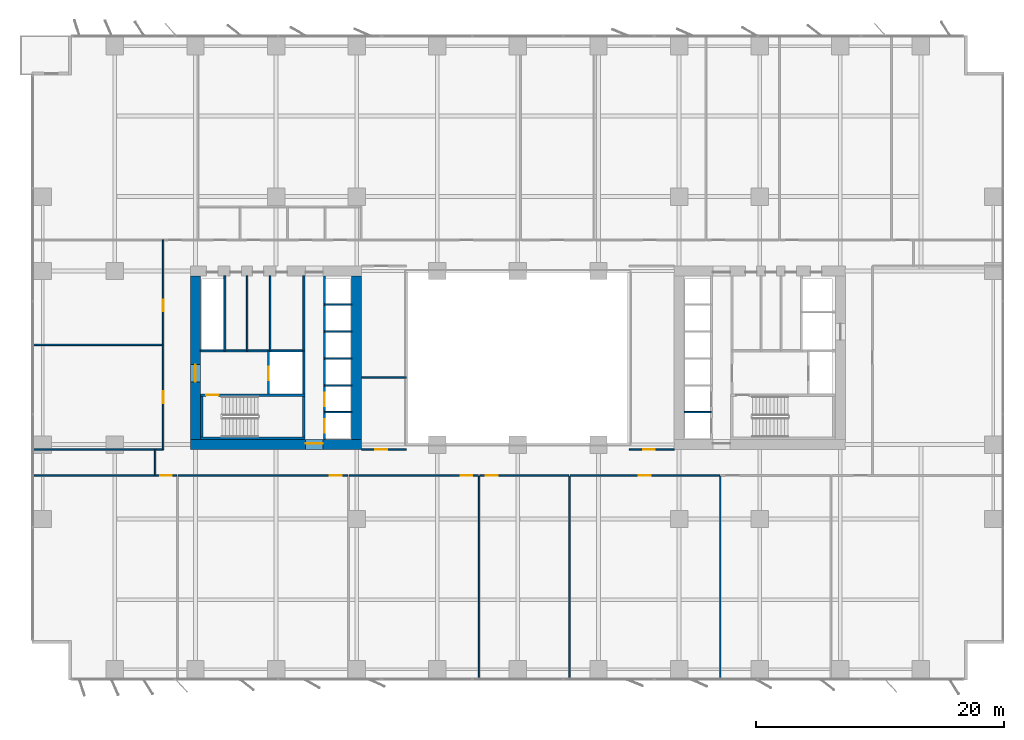
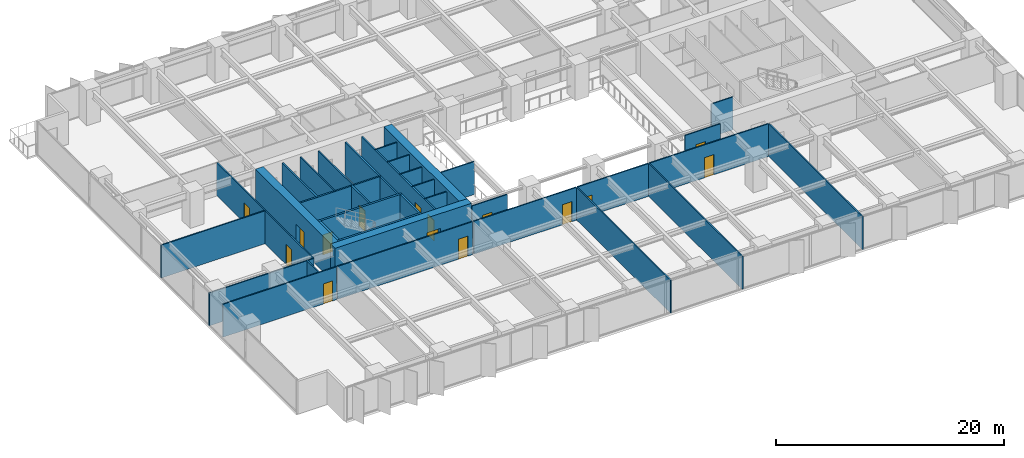
# One storey, part 13 of 20: 37 walls, 15 doors, 15 openings.
"""IFC4 building model written with IfcOpenShell, lengths in metres."""

from ifc_helpers import new_model, si_unit, direction, frame, frame_2d, origin, place, context, subcontext, project, spatial, rectangle, extrude, material, layer, layer_set, type_object, element, fill, save


model = new_model("IFC4")

# Units and contexts
model_context = context("Model", 3, precision=1e-05, world=origin(), true_north=direction((0.0, 1.0)))
body_context = subcontext(model_context, "Body", "Model", "MODEL_VIEW")
ifc_project = project(units=[si_unit("LENGTHUNIT", "METRE"), si_unit("AREAUNIT", "SQUARE_METRE"), si_unit("VOLUMEUNIT", "CUBIC_METRE"), si_unit("PLANEANGLEUNIT", "RADIAN"), si_unit("MASSUNIT", "GRAM", prefix="KILO")], contexts=[model_context])

# Site, building, storey
site_placement = place(None, origin())
site = spatial("IfcSite", under=ifc_project, at=site_placement, CompositionType="ELEMENT")
building_placement = place(site_placement, origin())
building = spatial("IfcBuilding", under=site, at=building_placement, Name="Putna Gate Headquarters", CompositionType="ELEMENT")
storey_placement = place(building_placement, frame((0.0, 0.0, 77.199951171875)))
storey = spatial("IfcBuildingStorey", under=building, at=storey_placement, Name="L18", CompositionType="ELEMENT", Elevation=77.199951171875)

# Wall, opening, door
ifc_material_1 = material(Name="Concrete C60/75", Category="concrete")
ifc_layer_1 = layer(ifc_material_1, 0.800048828125)
ifc_layer_set_1 = layer_set([ifc_layer_1], Name="Concrete C60/75")
wall_type_1 = type_object("IfcWallType", Name="WALL-CORE-800", PredefinedType="SHEAR", material=ifc_layer_set_1)
wall_1_placement = place(storey_placement, frame((12.60009765625, 19.0, 0.0), z_axis=(0.0, 0.0, 1.0), x_axis=(1.0, 0.0, 0.0)))
wall_1 = element("IfcWall", 1, at=wall_1_placement, inside=storey, type_object=wall_type_1, Name="L18 WC Split Core Shear Wall S", PredefinedType="SHEAR", context=body_context, shape_type="SweptSolid", body=[
    extrude(rectangle(XDim=13.7998046875, YDim=0.800048828125, at=frame_2d((6.89990234375, 0.0))), origin(), (0.0, 0.0, 1.0), 3.800048828125),
])
opening_1_placement = place(wall_1_placement, frame((9.280029296875, 0.0, 0.0)))
opening_1 = element("IfcOpeningElement", 2, at=opening_1_placement, cuts=wall_1, Name="Opening FDD-140", PredefinedType="OPENING", context=body_context, shape_type="SweptSolid", body=[
    extrude(rectangle(XDim=1.39990234375, YDim=2.199951171875, at=frame_2d((0.699951171875, 1.10009765625))), frame((0.0, 0.409912109375, 0.0), z_axis=(0.0, -1.0, 0.0), x_axis=(1.0, 0.0, 0.0)), (0.0, 0.0, 1.0), 0.820068359375),
])
ifc_material_2 = material(Name="Double steel fire door", Category="steel")
door_type_1 = type_object("IfcDoorType", Name="DOOR-FIRE-DBL-1400", OperationType="DOUBLE_DOOR_SINGLE_SWING", PredefinedType="DOOR", material=ifc_material_2)
door_1_placement = place(opening_1_placement, origin())
door_1 = element("IfcDoor", 3, at=door_1_placement, inside=storey, type_object=door_type_1, Name="L18 West Lift Lobby South Door", OperationType="DOUBLE_DOOR_SINGLE_SWING", OverallHeight=2.199951171875, OverallWidth=1.39990234375, PredefinedType="DOOR", context=body_context, shape_type="SweptSolid", body=[
    extrude(rectangle(XDim=1.39990234375, YDim=2.199951171875, at=frame_2d((0.699951171875, 1.10009765625))), frame((0.0, 0.125, 0.0), z_axis=(0.0, -1.0, 0.0), x_axis=(1.0, 0.0, 0.0)), (0.0, 0.0, 1.0), 0.050048828125),
])
fill(opening_1, door_1)

wall_2_placement = place(storey_placement, frame((13.0, 19.39990234375, 0.0), z_axis=(0.0, 0.0, 1.0), x_axis=(0.0, 1.0, 0.0)))
wall_2 = element("IfcWall", 4, at=wall_2_placement, inside=storey, type_object=wall_type_1, Name="L18 WC Split Core Shear Wall W", PredefinedType="SHEAR", context=body_context, shape_type="SweptSolid", body=[
    extrude(rectangle(XDim=13.2001953125, YDim=0.800048828125, at=frame_2d((6.60009765625, 0.0))), origin(), (0.0, 0.0, 1.0), 3.800048828125),
])
opening_2_placement = place(wall_2_placement, frame((4.64990234375, 0.0, 0.0)))
opening_2 = element("IfcOpeningElement", 5, at=opening_2_placement, cuts=wall_2, Name="Opening FDD-140", PredefinedType="OPENING", context=body_context, shape_type="SweptSolid", body=[
    extrude(rectangle(XDim=1.39990234375, YDim=2.199951171875, at=frame_2d((0.699951171875, 1.10009765625))), frame((0.0, 0.409912109375, 0.0), z_axis=(0.0, -1.0, 0.0), x_axis=(1.0, 0.0, 0.0)), (0.0, 0.0, 1.0), 0.820068359375),
])
door_2_placement = place(opening_2_placement, origin())
door_2 = element("IfcDoor", 6, at=door_2_placement, inside=storey, type_object=door_type_1, Name="L18 West Firefighting Lobby Door", OperationType="DOUBLE_DOOR_SINGLE_SWING", OverallHeight=2.199951171875, OverallWidth=1.39990234375, PredefinedType="DOOR", context=body_context, shape_type="SweptSolid", body=[
    extrude(rectangle(XDim=1.39990234375, YDim=2.199951171875, at=frame_2d((0.699951171875, 1.10009765625))), frame((0.0, 0.02490234375, 0.0), z_axis=(0.0, -1.0, 0.0), x_axis=(1.0, 0.0, 0.0)), (0.0, 0.0, 1.0), 0.050048828125),
])
fill(opening_2, door_2)

# Walls
wall_3_placement = place(storey_placement, frame((26.0, 19.39990234375, 0.0), z_axis=(0.0, 0.0, 1.0), x_axis=(0.0, 1.0, 0.0)))
element("IfcWall", 7, at=wall_3_placement, inside=storey, type_object=wall_type_1, Name="L18 WC Split Core Shear Wall E", PredefinedType="SHEAR", context=body_context, shape_type="SweptSolid", body=[
    extrude(rectangle(XDim=13.2001953125, YDim=0.800048828125, at=frame_2d((6.60009765625, 0.0))), origin(), (0.0, 0.0, 1.0), 3.800048828125),
])
ifc_material_3 = material(Name="Acoustic gypsum board on metal stud")
ifc_layer_2 = layer(ifc_material_3, 0.1201171875)
ifc_layer_set_2 = layer_set([ifc_layer_2], Name="Acoustic gypsum board on metal stud")
wall_type_2 = type_object("IfcWallType", Name="WALL-PART-120", PredefinedType="PARTITIONING", material=ifc_layer_set_2)
wall_4_placement = place(storey_placement, frame((26.39990234375, 24.39990234375, 0.0), z_axis=(0.0, 0.0, 1.0), x_axis=(1.0, 0.0, 0.0)))
element("IfcWall", 8, at=wall_4_placement, inside=storey, type_object=wall_type_2, Name="L18 Interior Wall PART-L18-ATR-W-DIV", PredefinedType="PARTITIONING", context=body_context, shape_type="SweptSolid", body=[
    extrude(rectangle(XDim=3.60009765625, YDim=0.1201171875, at=frame_2d((1.800048828125, 0.0))), origin(), (0.0, 0.0, 1.0), 3.52001953125),
])

# Wall, opening, door
wall_5_placement = place(storey_placement, frame((26.39990234375, 18.60009765625, 0.0), z_axis=(0.0, 0.0, 1.0), x_axis=(1.0, 0.0, 0.0)))
wall_5 = element("IfcWall", 9, at=wall_5_placement, inside=storey, type_object=wall_type_2, Name="L18 Interior Wall PART-L18-ATR-W-S", PredefinedType="PARTITIONING", context=body_context, shape_type="SweptSolid", body=[
    extrude(rectangle(XDim=3.60009765625, YDim=0.1201171875, at=frame_2d((1.800048828125, 0.0))), origin(), (0.0, 0.0, 1.0), 3.52001953125),
])
opening_3_placement = place(wall_5_placement, frame((1.10009765625, 0.0, 0.0)))
opening_3 = element("IfcOpeningElement", 10, at=opening_3_placement, cuts=wall_5, Name="Opening ID-95", PredefinedType="OPENING", context=body_context, shape_type="SweptSolid", body=[
    extrude(rectangle(XDim=0.949951171875, YDim=2.14990234375, at=frame_2d((0.47509765625, 1.074951171875))), frame((0.0, 0.070068359375, 0.0), z_axis=(0.0, -1.0, 0.0), x_axis=(1.0, 0.0, 0.0)), (0.0, 0.0, 1.0), 0.14013671875),
])
ifc_material_4 = material(Name="Veneered acoustic timber door", Category="wood")
door_type_2 = type_object("IfcDoorType", Name="DOOR-OFF-950", OperationType="NOTDEFINED", PredefinedType="DOOR", material=ifc_material_4)
door_3_placement = place(opening_3_placement, origin())
door_3 = element("IfcDoor", 11, at=door_3_placement, inside=storey, type_object=door_type_2, Name="L18 West Atrium South Study Door", OperationType="SINGLE_SWING_LEFT", OverallHeight=2.14990234375, OverallWidth=0.949951171875, PredefinedType="DOOR", context=body_context, shape_type="SweptSolid", body=[
    extrude(rectangle(XDim=0.949951171875, YDim=2.14990234375, at=frame_2d((0.47509765625, 1.074951171875))), frame((0.0, 0.02490234375, 0.0), z_axis=(0.0, -1.0, 0.0), x_axis=(1.0, 0.0, 0.0)), (0.0, 0.0, 1.0), 0.050048828125),
])
fill(opening_3, door_3)

wall_6_placement = place(storey_placement, frame((48.0, 18.60009765625, 0.0), z_axis=(0.0, 0.0, 1.0), x_axis=(1.0, 0.0, 0.0)))
wall_6 = element("IfcWall", 12, at=wall_6_placement, inside=storey, type_object=wall_type_2, Name="L18 Interior Wall PART-L18-ATR-E-S", PredefinedType="PARTITIONING", context=body_context, shape_type="SweptSolid", body=[
    extrude(rectangle(XDim=3.60009765625, YDim=0.1201171875, at=frame_2d((1.800048828125, 0.0))), origin(), (0.0, 0.0, 1.0), 3.52001953125),
])
opening_4_placement = place(wall_6_placement, frame((1.10009765625, 0.0, 0.0)))
opening_4 = element("IfcOpeningElement", 13, at=opening_4_placement, cuts=wall_6, Name="Opening ID-95", PredefinedType="OPENING", context=body_context, shape_type="SweptSolid", body=[
    extrude(rectangle(XDim=0.949951171875, YDim=2.14990234375, at=frame_2d((0.47509765625, 1.074951171875))), frame((0.0, 0.070068359375, 0.0), z_axis=(0.0, -1.0, 0.0), x_axis=(1.0, 0.0, 0.0)), (0.0, 0.0, 1.0), 0.14013671875),
])
door_4_placement = place(opening_4_placement, origin())
door_4 = element("IfcDoor", 14, at=door_4_placement, inside=storey, type_object=door_type_2, Name="L18 East Atrium Gallery Lounge Door", OperationType="SINGLE_SWING_LEFT", OverallHeight=2.14990234375, OverallWidth=0.949951171875, PredefinedType="DOOR", context=body_context, shape_type="SweptSolid", body=[
    extrude(rectangle(XDim=0.949951171875, YDim=2.14990234375, at=frame_2d((0.47509765625, 1.074951171875))), frame((0.0, 0.02490234375, 0.0), z_axis=(0.0, -1.0, 0.0), x_axis=(1.0, 0.0, 0.0)), (0.0, 0.0, 1.0), 0.050048828125),
])
fill(opening_4, door_4)

# Walls
for number, where, z_axis, x_axis, name in (
    (15, (35.87060546875, 0.02001953125, 0.0), (0.0, 0.0, 1.0), (0.0, 1.0, 0.0), "L18 Interior Wall PART-L18-SB-DIV-03"),
    (16, (43.151611328125, 0.02001953125, 0.0), (0.0, 0.0, 1.0), (0.0, 1.0, 0.0), "L18 Interior Wall PART-L18-SB-DIV-04"),
    (17, (55.318115234375, 0.02001953125, 0.0), (0.0, 0.0, 1.0), (0.0, 1.0, 0.0), "L18 Interior Wall PART-L18-SB-DIV-05"),
):
    element("IfcWall", number, at=place(storey_placement, frame(where, z_axis=z_axis, x_axis=x_axis)), inside=storey, type_object=wall_type_2, Name=name, PredefinedType="PARTITIONING", context=body_context, shape_type="SweptSolid", body=[
        extrude(rectangle(XDim=16.419921875, YDim=0.1201171875, at=frame_2d((8.2099609375, 0.0))), origin(), (0.0, 0.0, 1.0), 3.52001953125),
    ])
wall_7_placement = place(storey_placement, frame((-0.179931640625, 27.050048828125, 0.0), z_axis=(0.0, 0.0, 1.0), x_axis=(1.0, 0.0, 0.0)))
element("IfcWall", 18, at=wall_7_placement, inside=storey, type_object=wall_type_2, Name="L18 Interior Wall PART-L18-WW-DIV-1", PredefinedType="PARTITIONING", context=body_context, shape_type="SweptSolid", body=[
    extrude(rectangle(XDim=10.579833984375, YDim=0.1201171875, at=frame_2d((5.2900390625, 0.0))), origin(), (0.0, 0.0, 1.0), 3.52001953125),
])
ifc_material_5 = material(Name="Fire-rated shaftwall gypsum board on metal stud")
ifc_layer_3 = layer(ifc_material_5, 0.1201171875)
ifc_layer_set_3 = layer_set([ifc_layer_3], Name="Fire-rated shaftwall gypsum board on metal stud")
wall_type_3 = type_object("IfcWallType", Name="WALL-PART-120-EI120", PredefinedType="PARTITIONING", material=ifc_layer_set_3)
for number, where, z_axis, x_axis, name in (
    (19, (23.39990234375, 21.610107421875, 0.0), (0.0, 0.0, 1.0), (1.0, 0.0, 0.0), "L18 Interior Wall CWINT-L18-WC-LF01-DIV"),
    (20, (23.39990234375, 23.780029296875, 0.0), (0.0, 0.0, 1.0), (1.0, 0.0, 0.0), "L18 Interior Wall CWINT-L18-WC-LF02-DIV"),
    (21, (23.39990234375, 25.949951171875, 0.0), (0.0, 0.0, 1.0), (1.0, 0.0, 0.0), "L18 Interior Wall CWINT-L18-WC-LF05-DIV"),
    (22, (23.39990234375, 28.1201171875, 0.0), (0.0, 0.0, 1.0), (1.0, 0.0, 0.0), "L18 Interior Wall CWINT-L18-WC-LF06-DIV"),
    (23, (23.39990234375, 30.31005859375, 0.0), (0.0, 0.0, 1.0), (1.0, 0.0, 0.0), "L18 Interior Wall CWINT-L18-WC-LF09-DIV"),
    (24, (52.39990234375, 21.610107421875, 0.0), (0.0, 0.0, 1.0), (1.0, 0.0, 0.0), "L18 Interior Wall CWINT-L18-EC-LF03-DIV"),
):
    element("IfcWall", number, at=place(storey_placement, frame(where, z_axis=z_axis, x_axis=x_axis)), inside=storey, type_object=wall_type_3, Name=name, PredefinedType="PARTITIONING", context=body_context, shape_type="SweptSolid", body=[
        extrude(rectangle(XDim=2.2001953125, YDim=0.1201171875, at=frame_2d((1.10009765625, 0.0))), origin(), (0.0, 0.0, 1.0), 3.52001953125),
    ])
ifc_material_6 = material(Name="Fire-rated gypsum board on metal stud")
ifc_layer_4 = layer(ifc_material_6, 0.1201171875)
ifc_layer_set_4 = layer_set([ifc_layer_4], Name="Fire-rated gypsum board on metal stud")
wall_type_4 = type_object("IfcWallType", Name="WALL-PART-120-RATED", PredefinedType="PARTITIONING", material=ifc_layer_set_4)
for number, where, z_axis, x_axis, name in (
    (25, (17.169921875, 26.56005859375, 0.0), (0.0, 0.0, 1.0), (0.0, 1.0, 0.0), "L18 Interior Wall CWINT-L18-WC-K2-D1"),
    (26, (19.02001953125, 26.56005859375, 0.0), (0.0, 0.0, 1.0), (0.0, 1.0, 0.0), "L18 Interior Wall CWINT-L18-WC-K2-D2"),
):
    element("IfcWall", number, at=place(storey_placement, frame(where, z_axis=z_axis, x_axis=x_axis)), inside=storey, type_object=wall_type_4, Name=name, PredefinedType="PARTITIONING", context=body_context, shape_type="SweptSolid", body=[
        extrude(rectangle(XDim=6.0400390625, YDim=0.1201171875, at=frame_2d((3.02001953125, 0.0))), origin(), (0.0, 0.0, 1.0), 3.52001953125),
    ])
wall_8_placement = place(storey_placement, frame((9.74560546875, 16.5, 0.0), z_axis=(0.0, 0.0, 1.0), x_axis=(0.0, 1.0, 0.0)))
element("IfcWall", 27, at=wall_8_placement, inside=storey, type_object=wall_type_4, Name="L18 Interior Wall PART-L18-CORRS-CAPW", PredefinedType="PARTITIONING", context=body_context, shape_type="SweptSolid", body=[
    extrude(rectangle(XDim=2.10009765625, YDim=0.1201171875, at=frame_2d((1.050048828125, 0.0))), origin(), (0.0, 0.0, 1.0), 3.52001953125),
])

# Wall, opening, door
wall_9_placement = place(storey_placement, frame((-0.02001953125, 16.5, 0.0), z_axis=(0.0, 0.0, 1.0), x_axis=(1.0, 0.0, 0.0)))
wall_9 = element("IfcWall", 28, at=wall_9_placement, inside=storey, type_object=wall_type_4, Name="L18 Interior Wall PART-L18-SB-CW-01", PredefinedType="PARTITIONING", context=body_context, shape_type="SweptSolid", body=[
    extrude(rectangle(XDim=11.505615234375, YDim=0.1201171875, at=frame_2d((5.7529296875, 0.0))), origin(), (0.0, 0.0, 1.0), 3.52001953125),
])
opening_5_placement = place(wall_9_placement, frame((10.160400390625, 0.0, 0.0)))
opening_5 = element("IfcOpeningElement", 29, at=opening_5_placement, cuts=wall_9, Name="Opening FD-95", PredefinedType="OPENING", context=body_context, shape_type="SweptSolid", body=[
    extrude(rectangle(XDim=0.949951171875, YDim=2.14990234375, at=frame_2d((0.47509765625, 1.074951171875))), frame((0.0, 0.070068359375, 0.0), z_axis=(0.0, -1.0, 0.0), x_axis=(1.0, 0.0, 0.0)), (0.0, 0.0, 1.0), 0.14013671875),
])
ifc_material_7 = material(Name="Acoustic timber fire door", Category="wood")
door_type_3 = type_object("IfcDoorType", Name="DOOR-FIRE-950", OperationType="NOTDEFINED", PredefinedType="DOOR", material=ifc_material_7)
door_5_placement = place(opening_5_placement, origin())
door_5 = element("IfcDoor", 30, at=door_5_placement, inside=storey, type_object=door_type_3, Name="L18 Cellular Office 2 Door", OperationType="SINGLE_SWING_LEFT", OverallHeight=2.14990234375, OverallWidth=0.949951171875, PredefinedType="DOOR", context=body_context, shape_type="SweptSolid", body=[
    extrude(rectangle(XDim=0.949951171875, YDim=2.14990234375, at=frame_2d((0.47509765625, 1.074951171875))), frame((0.0, 0.02490234375, 0.0), z_axis=(0.0, -1.0, 0.0), x_axis=(1.0, 0.0, 0.0)), (0.0, 0.0, 1.0), 0.050048828125),
])
fill(opening_5, door_5)

wall_10_placement = place(storey_placement, frame((11.60546875, 16.5, 0.0), z_axis=(0.0, 0.0, 1.0), x_axis=(1.0, 0.0, 0.0)))
wall_10 = element("IfcWall", 31, at=wall_10_placement, inside=storey, type_object=wall_type_4, Name="L18 Interior Wall PART-L18-SB-CW-02", PredefinedType="PARTITIONING", context=body_context, shape_type="SweptSolid", body=[
    extrude(rectangle(XDim=13.669677734375, YDim=0.1201171875, at=frame_2d((6.8349609375, 0.0))), origin(), (0.0, 0.0, 1.0), 3.52001953125),
])
opening_6_placement = place(wall_10_placement, frame((12.23974609375, 0.0, 0.0)))
opening_6 = element("IfcOpeningElement", 32, at=opening_6_placement, cuts=wall_10, Name="Opening FD-95", PredefinedType="OPENING", context=body_context, shape_type="SweptSolid", body=[
    extrude(rectangle(XDim=0.949951171875, YDim=2.14990234375, at=frame_2d((0.47509765625, 1.074951171875))), frame((0.0, 0.070068359375, 0.0), z_axis=(0.0, -1.0, 0.0), x_axis=(1.0, 0.0, 0.0)), (0.0, 0.0, 1.0), 0.14013671875),
])
door_6_placement = place(opening_6_placement, origin())
door_6 = element("IfcDoor", 33, at=door_6_placement, inside=storey, type_object=door_type_3, Name="L18 Conference Meeting Room 6 Door", OperationType="SINGLE_SWING_RIGHT", OverallHeight=2.14990234375, OverallWidth=0.949951171875, PredefinedType="DOOR", context=body_context, shape_type="SweptSolid", body=[
    extrude(rectangle(XDim=0.949951171875, YDim=2.14990234375, at=frame_2d((0.47509765625, 1.074951171875))), frame((0.0, 0.02490234375, 0.0), z_axis=(0.0, -1.0, 0.0), x_axis=(1.0, 0.0, 0.0)), (0.0, 0.0, 1.0), 0.050048828125),
])
fill(opening_6, door_6)

wall_11_placement = place(storey_placement, frame((25.395263671875, 16.5, 0.0), z_axis=(0.0, 0.0, 1.0), x_axis=(1.0, 0.0, 0.0)))
wall_11 = element("IfcWall", 34, at=wall_11_placement, inside=storey, type_object=wall_type_4, Name="L18 Interior Wall PART-L18-SB-CW-03", PredefinedType="PARTITIONING", context=body_context, shape_type="SweptSolid", body=[
    extrude(rectangle(XDim=10.415283203125, YDim=0.1201171875, at=frame_2d((5.20751953125, 0.0))), origin(), (0.0, 0.0, 1.0), 3.52001953125),
])
opening_7_placement = place(wall_11_placement, frame((8.9853515625, 0.0, 0.0)))
opening_7 = element("IfcOpeningElement", 35, at=opening_7_placement, cuts=wall_11, Name="Opening FD-95", PredefinedType="OPENING", context=body_context, shape_type="SweptSolid", body=[
    extrude(rectangle(XDim=0.949951171875, YDim=2.14990234375, at=frame_2d((0.47509765625, 1.074951171875))), frame((0.0, 0.070068359375, 0.0), z_axis=(0.0, -1.0, 0.0), x_axis=(1.0, 0.0, 0.0)), (0.0, 0.0, 1.0), 0.14013671875),
])
door_7_placement = place(opening_7_placement, origin())
door_7 = element("IfcDoor", 36, at=door_7_placement, inside=storey, type_object=door_type_3, Name="L18 Conference Meeting Room 7 Door", OperationType="SINGLE_SWING_LEFT", OverallHeight=2.14990234375, OverallWidth=0.949951171875, PredefinedType="DOOR", context=body_context, shape_type="SweptSolid", body=[
    extrude(rectangle(XDim=0.949951171875, YDim=2.14990234375, at=frame_2d((0.47509765625, 1.074951171875))), frame((0.0, 0.02490234375, 0.0), z_axis=(0.0, -1.0, 0.0), x_axis=(1.0, 0.0, 0.0)), (0.0, 0.0, 1.0), 0.050048828125),
])
fill(opening_7, door_7)

wall_12_placement = place(storey_placement, frame((35.9306640625, 16.5, 0.0), z_axis=(0.0, 0.0, 1.0), x_axis=(1.0, 0.0, 0.0)))
wall_12 = element("IfcWall", 37, at=wall_12_placement, inside=storey, type_object=wall_type_4, Name="L18 Interior Wall PART-L18-SB-CW-04", PredefinedType="PARTITIONING", context=body_context, shape_type="SweptSolid", body=[
    extrude(rectangle(XDim=7.1611328125, YDim=0.1201171875, at=frame_2d((3.58056640625, 0.0))), origin(), (0.0, 0.0, 1.0), 3.52001953125),
])
opening_8_placement = place(wall_12_placement, frame((0.47998046875, 0.0, 0.0)))
opening_8 = element("IfcOpeningElement", 38, at=opening_8_placement, cuts=wall_12, Name="Opening FD-95", PredefinedType="OPENING", context=body_context, shape_type="SweptSolid", body=[
    extrude(rectangle(XDim=0.949951171875, YDim=2.14990234375, at=frame_2d((0.47509765625, 1.074951171875))), frame((0.0, 0.070068359375, 0.0), z_axis=(0.0, -1.0, 0.0), x_axis=(1.0, 0.0, 0.0)), (0.0, 0.0, 1.0), 0.14013671875),
])
door_8_placement = place(opening_8_placement, origin())
door_8 = element("IfcDoor", 39, at=door_8_placement, inside=storey, type_object=door_type_3, Name="L18 Collaborative Breakout Lounge 1 Door", OperationType="SINGLE_SWING_RIGHT", OverallHeight=2.14990234375, OverallWidth=0.949951171875, PredefinedType="DOOR", context=body_context, shape_type="SweptSolid", body=[
    extrude(rectangle(XDim=0.949951171875, YDim=2.14990234375, at=frame_2d((0.47509765625, 1.074951171875))), frame((0.0, 0.02490234375, 0.0), z_axis=(0.0, -1.0, 0.0), x_axis=(1.0, 0.0, 0.0)), (0.0, 0.0, 1.0), 0.050048828125),
])
fill(opening_8, door_8)

wall_13_placement = place(storey_placement, frame((43.211669921875, 16.5, 0.0), z_axis=(0.0, 0.0, 1.0), x_axis=(1.0, 0.0, 0.0)))
wall_13 = element("IfcWall", 40, at=wall_13_placement, inside=storey, type_object=wall_type_4, Name="L18 Interior Wall PART-L18-SB-CW-05", PredefinedType="PARTITIONING", context=body_context, shape_type="SweptSolid", body=[
    extrude(rectangle(XDim=12.046630859375, YDim=0.1201171875, at=frame_2d((6.0234375, 0.0))), origin(), (0.0, 0.0, 1.0), 3.52001953125),
])
opening_9_placement = place(wall_13_placement, frame((5.548095703125, 0.0, 0.0)))
opening_9 = element("IfcOpeningElement", 41, at=opening_9_placement, cuts=wall_13, Name="Opening FD-95", PredefinedType="OPENING", context=body_context, shape_type="SweptSolid", body=[
    extrude(rectangle(XDim=0.949951171875, YDim=2.14990234375, at=frame_2d((0.47509765625, 1.074951171875))), frame((0.0, 0.070068359375, 0.0), z_axis=(0.0, -1.0, 0.0), x_axis=(1.0, 0.0, 0.0)), (0.0, 0.0, 1.0), 0.14013671875),
])
door_9_placement = place(opening_9_placement, origin())
door_9 = element("IfcDoor", 42, at=door_9_placement, inside=storey, type_object=door_type_3, Name="L18 Quiet Wellness Focus Studio 1 Door", OperationType="SINGLE_SWING_LEFT", OverallHeight=2.14990234375, OverallWidth=0.949951171875, PredefinedType="DOOR", context=body_context, shape_type="SweptSolid", body=[
    extrude(rectangle(XDim=0.949951171875, YDim=2.14990234375, at=frame_2d((0.47509765625, 1.074951171875))), frame((0.0, 0.02490234375, 0.0), z_axis=(0.0, -1.0, 0.0), x_axis=(1.0, 0.0, 0.0)), (0.0, 0.0, 1.0), 0.050048828125),
])
fill(opening_9, door_9)

# Wall
wall_14_placement = place(storey_placement, frame((-0.179931640625, 18.60009765625, 0.0), z_axis=(0.0, 0.0, 1.0), x_axis=(1.0, 0.0, 0.0)))
element("IfcWall", 43, at=wall_14_placement, inside=storey, type_object=wall_type_4, Name="L18 Interior Wall PART-L18-WW-S-BOUND", PredefinedType="PARTITIONING", context=body_context, shape_type="SweptSolid", body=[
    extrude(rectangle(XDim=10.579833984375, YDim=0.1201171875, at=frame_2d((5.2900390625, 0.0))), origin(), (0.0, 0.0, 1.0), 3.52001953125),
])

# Wall, opening, door
wall_15_placement = place(storey_placement, frame((10.39990234375, 18.60009765625, 0.0), z_axis=(0.0, 0.0, 1.0), x_axis=(0.0, 1.0, 0.0)))
wall_15 = element("IfcWall", 44, at=wall_15_placement, inside=storey, type_object=wall_type_4, Name="L18 Interior Wall PART-L18-WW-CW-1", PredefinedType="PARTITIONING", context=body_context, shape_type="SweptSolid", body=[
    extrude(rectangle(XDim=8.449951171875, YDim=0.1201171875, at=frame_2d((4.22509765625, 0.0))), origin(), (0.0, 0.0, 1.0), 3.52001953125),
])
opening_10_placement = place(wall_15_placement, frame((3.75, 0.0, 0.0)))
opening_10 = element("IfcOpeningElement", 45, at=opening_10_placement, cuts=wall_15, Name="Opening FD-95", PredefinedType="OPENING", context=body_context, shape_type="SweptSolid", body=[
    extrude(rectangle(XDim=0.949951171875, YDim=2.14990234375, at=frame_2d((0.47509765625, 1.074951171875))), frame((0.0, 0.070068359375, 0.0), z_axis=(0.0, -1.0, 0.0), x_axis=(1.0, 0.0, 0.0)), (0.0, 0.0, 1.0), 0.14013671875),
])
door_10_placement = place(opening_10_placement, origin())
door_10 = element("IfcDoor", 46, at=door_10_placement, inside=storey, type_object=door_type_3, Name="L18 West Project Meeting Room 1 Door", OperationType="SINGLE_SWING_RIGHT", OverallHeight=2.14990234375, OverallWidth=0.949951171875, PredefinedType="DOOR", context=body_context, shape_type="SweptSolid", body=[
    extrude(rectangle(XDim=0.949951171875, YDim=2.14990234375, at=frame_2d((0.47509765625, 1.074951171875))), frame((0.0, 0.02490234375, 0.0), z_axis=(0.0, -1.0, 0.0), x_axis=(1.0, 0.0, 0.0)), (0.0, 0.0, 1.0), 0.050048828125),
])
fill(opening_10, door_10)

wall_16_placement = place(storey_placement, frame((10.39990234375, 27.050048828125, 0.0), z_axis=(0.0, 0.0, 1.0), x_axis=(0.0, 1.0, 0.0)))
wall_16 = element("IfcWall", 47, at=wall_16_placement, inside=storey, type_object=wall_type_4, Name="L18 Interior Wall PART-L18-WW-CW-2", PredefinedType="PARTITIONING", context=body_context, shape_type="SweptSolid", body=[
    extrude(rectangle(XDim=8.449951171875, YDim=0.1201171875, at=frame_2d((4.22509765625, 0.0))), origin(), (0.0, 0.0, 1.0), 3.52001953125),
])
opening_11_placement = place(wall_16_placement, frame((2.699951171875, 0.0, 0.0)))
opening_11 = element("IfcOpeningElement", 48, at=opening_11_placement, cuts=wall_16, Name="Opening FD-95", PredefinedType="OPENING", context=body_context, shape_type="SweptSolid", body=[
    extrude(rectangle(XDim=0.949951171875, YDim=2.14990234375, at=frame_2d((0.47509765625, 1.074951171875))), frame((0.0, 0.070068359375, 0.0), z_axis=(0.0, -1.0, 0.0), x_axis=(1.0, 0.0, 0.0)), (0.0, 0.0, 1.0), 0.14013671875),
])
door_11_placement = place(opening_11_placement, origin())
door_11 = element("IfcDoor", 49, at=door_11_placement, inside=storey, type_object=door_type_3, Name="L18 West Project Meeting Room 2 Door", OperationType="SINGLE_SWING_LEFT", OverallHeight=2.14990234375, OverallWidth=0.949951171875, PredefinedType="DOOR", context=body_context, shape_type="SweptSolid", body=[
    extrude(rectangle(XDim=0.949951171875, YDim=2.14990234375, at=frame_2d((0.47509765625, 1.074951171875))), frame((0.0, 0.02490234375, 0.0), z_axis=(0.0, -1.0, 0.0), x_axis=(1.0, 0.0, 0.0)), (0.0, 0.0, 1.0), 0.050048828125),
])
fill(opening_11, door_11)

# Wall
ifc_material_8 = material(Name="Concrete C40/50", Category="concrete")
ifc_layer_5 = layer(ifc_material_8, 0.159912109375)
ifc_layer_set_5 = layer_set([ifc_layer_5], Name="Concrete C40/50")
wall_type_5 = type_object("IfcWallType", Name="WALL-SHAFT-160", PredefinedType="STANDARD", material=ifc_layer_set_5)
wall_17_placement = place(storey_placement, frame((21.739990234375, 23.090087890625, 0.0), z_axis=(0.0, 0.0, 1.0), x_axis=(0.0, 1.0, 0.0)))
element("IfcWall", 50, at=wall_17_placement, inside=storey, type_object=wall_type_5, Name="L18 Interior Wall CWINT-L18-WC-FFL-E", PredefinedType="STANDARD", context=body_context, shape_type="SweptSolid", body=[
    extrude(rectangle(XDim=3.469970703125, YDim=0.159912109375, at=frame_2d((1.73486328125, 0.0))), origin(), (0.0, 0.0, 1.0), 3.52001953125),
])

# Wall, opening, door
wall_18_placement = place(storey_placement, frame((18.8798828125, 23.090087890625, 0.0), z_axis=(0.0, 0.0, 1.0), x_axis=(0.0, 1.0, 0.0)))
wall_18 = element("IfcWall", 51, at=wall_18_placement, inside=storey, type_object=wall_type_5, Name="L18 Interior Wall CWINT-L18-WC-LF13-W", PredefinedType="STANDARD", context=body_context, shape_type="SweptSolid", body=[
    extrude(rectangle(XDim=3.469970703125, YDim=0.159912109375, at=frame_2d((1.73486328125, 0.0))), origin(), (0.0, 0.0, 1.0), 3.52001953125),
])
opening_12_placement = place(wall_18_placement, frame((1.10009765625, 0.0, 0.0)))
opening_12 = element("IfcOpeningElement", 52, at=opening_12_placement, cuts=wall_18, Name="Opening LD-1", PredefinedType="OPENING", context=body_context, shape_type="SweptSolid", body=[
    extrude(rectangle(XDim=1.10009765625, YDim=2.199951171875, at=frame_2d((0.550048828125, 1.10009765625))), frame((0.0, 0.08984375, 0.0), z_axis=(0.0, -1.0, 0.0), x_axis=(1.0, 0.0, 0.0)), (0.0, 0.0, 1.0), 0.179931640625),
])
ifc_material_9 = material(Name="Brushed bronze stainless lift landing door")
door_type_4 = type_object("IfcDoorType", Name="DOOR-LIFT-1100", OperationType="DOUBLE_DOOR_SLIDING", PredefinedType="DOOR", material=ifc_material_9)
door_12_placement = place(opening_12_placement, origin())
door_12 = element("IfcDoor", 53, at=door_12_placement, inside=storey, type_object=door_type_4, Name="L18 Lift Landing Door LD-13", OperationType="DOUBLE_DOOR_SLIDING", OverallHeight=2.199951171875, OverallWidth=1.10009765625, PredefinedType="DOOR", context=body_context, shape_type="SweptSolid", body=[
    extrude(rectangle(XDim=1.10009765625, YDim=2.199951171875, at=frame_2d((0.550048828125, 1.10009765625))), frame((0.0, 0.02490234375, 0.0), z_axis=(0.0, -1.0, 0.0), x_axis=(1.0, 0.0, 0.0)), (0.0, 0.0, 1.0), 0.050048828125),
])
fill(opening_12, door_12)

# Walls
wall_19_placement = place(storey_placement, frame((13.39990234375, 26.56005859375, 0.0), z_axis=(0.0, 0.0, 1.0), x_axis=(1.0, 0.0, 0.0)))
element("IfcWall", 54, at=wall_19_placement, inside=storey, type_object=wall_type_5, Name="L18 Interior Wall CWINT-L18-WC-FFL-N", PredefinedType="STANDARD", context=body_context, shape_type="SweptSolid", body=[
    extrude(rectangle(XDim=8.340087890625, YDim=0.159912109375, at=frame_2d((4.169921875, 0.0))), origin(), (0.0, 0.0, 1.0), 3.52001953125),
])
for number, where, z_axis, x_axis, name in (
    (55, (15.3798828125, 26.56005859375, 0.0), (0.0, 0.0, 1.0), (0.0, 1.0, 0.0), "L18 Interior Wall CWINT-L18-WC-RISER-E"),
    (56, (21.739990234375, 26.56005859375, 0.0), (0.0, 0.0, 1.0), (0.0, 1.0, 0.0), "L18 Interior Wall CWINT-L18-WC-LOB-W"),
):
    element("IfcWall", number, at=place(storey_placement, frame(where, z_axis=z_axis, x_axis=x_axis)), inside=storey, type_object=wall_type_5, Name=name, PredefinedType="STANDARD", context=body_context, shape_type="SweptSolid", body=[
        extrude(rectangle(XDim=6.0400390625, YDim=0.159912109375, at=frame_2d((3.02001953125, 0.0))), origin(), (0.0, 0.0, 1.0), 3.52001953125),
    ])

# Wall, openings, doors
wall_20_placement = place(storey_placement, frame((23.39990234375, 19.39990234375, 0.0), z_axis=(0.0, 0.0, 1.0), x_axis=(0.0, 1.0, 0.0)))
wall_20 = element("IfcWall", 57, at=wall_20_placement, inside=storey, type_object=wall_type_5, Name="L18 Interior Wall CWINT-L18-WC-PL-WALL", PredefinedType="STANDARD", context=body_context, shape_type="SweptSolid", body=[
    extrude(rectangle(XDim=13.2001953125, YDim=0.159912109375, at=frame_2d((6.60009765625, 0.0))), origin(), (0.0, 0.0, 1.0), 3.52001953125),
])
opening_13_placement = place(wall_20_placement, frame((0.550048828125, 0.0, 0.0)))
opening_13 = element("IfcOpeningElement", 58, at=opening_13_placement, cuts=wall_20, Name="Opening LD-1", PredefinedType="OPENING", context=body_context, shape_type="SweptSolid", body=[
    extrude(rectangle(XDim=1.10009765625, YDim=2.199951171875, at=frame_2d((0.550048828125, 1.10009765625))), frame((0.0, 0.08984375, 0.0), z_axis=(0.0, -1.0, 0.0), x_axis=(1.0, 0.0, 0.0)), (0.0, 0.0, 1.0), 0.179931640625),
])
opening_14_placement = place(wall_20_placement, frame((2.699951171875, 0.0, 0.0)))
opening_14 = element("IfcOpeningElement", 59, at=opening_14_placement, cuts=wall_20, Name="Opening LD-1", PredefinedType="OPENING", context=body_context, shape_type="SweptSolid", body=[
    extrude(rectangle(XDim=1.10009765625, YDim=2.199951171875, at=frame_2d((0.550048828125, 1.10009765625))), frame((0.0, 0.08984375, 0.0), z_axis=(0.0, -1.0, 0.0), x_axis=(1.0, 0.0, 0.0)), (0.0, 0.0, 1.0), 0.179931640625),
])
door_13_placement = place(opening_13_placement, origin())
door_13 = element("IfcDoor", 60, at=door_13_placement, inside=storey, type_object=door_type_4, Name="L18 Lift Landing Door LD-01", OperationType="DOUBLE_DOOR_SLIDING", OverallHeight=2.199951171875, OverallWidth=1.10009765625, PredefinedType="DOOR", context=body_context, shape_type="SweptSolid", body=[
    extrude(rectangle(XDim=1.10009765625, YDim=2.199951171875, at=frame_2d((0.550048828125, 1.10009765625))), frame((0.0, 0.02490234375, 0.0), z_axis=(0.0, -1.0, 0.0), x_axis=(1.0, 0.0, 0.0)), (0.0, 0.0, 1.0), 0.050048828125),
])
fill(opening_13, door_13)
door_14_placement = place(opening_14_placement, origin())
door_14 = element("IfcDoor", 61, at=door_14_placement, inside=storey, type_object=door_type_4, Name="L18 Lift Landing Door LD-02", OperationType="DOUBLE_DOOR_SLIDING", OverallHeight=2.199951171875, OverallWidth=1.10009765625, PredefinedType="DOOR", context=body_context, shape_type="SweptSolid", body=[
    extrude(rectangle(XDim=1.10009765625, YDim=2.199951171875, at=frame_2d((0.550048828125, 1.10009765625))), frame((0.0, 0.02490234375, 0.0), z_axis=(0.0, -1.0, 0.0), x_axis=(1.0, 0.0, 0.0)), (0.0, 0.0, 1.0), 0.050048828125),
])
fill(opening_14, door_14)

# Wall
ifc_layer_6 = layer(ifc_material_8, 0.199951171875)
ifc_layer_set_6 = layer_set([ifc_layer_6], Name="Concrete C40/50")
wall_type_6 = type_object("IfcWallType", Name="WALL-SHAFT-RC200", PredefinedType="SHEAR", material=ifc_layer_set_6)
wall_21_placement = place(storey_placement, frame((13.409912109375, 19.510009765625, 0.0), z_axis=(0.0, 0.0, 1.0), x_axis=(1.0, 0.0, 0.0)))
element("IfcWall", 62, at=wall_21_placement, inside=storey, type_object=wall_type_6, Name="L18 Stair ST1 Structural Shaft Wall S", PredefinedType="SHEAR", context=body_context, shape_type="SweptSolid", body=[
    extrude(rectangle(XDim=8.43017578125, YDim=0.199951171875, at=frame_2d((4.215087890625, 0.0))), origin(), (0.0, 0.0, 1.0), 3.800048828125),
])

# Wall, opening, door
wall_22_placement = place(storey_placement, frame((13.409912109375, 22.989990234375, 0.0), z_axis=(0.0, 0.0, 1.0), x_axis=(1.0, 0.0, 0.0)))
wall_22 = element("IfcWall", 63, at=wall_22_placement, inside=storey, type_object=wall_type_6, Name="L18 Stair ST1 Structural Shaft Wall N", PredefinedType="SHEAR", context=body_context, shape_type="SweptSolid", body=[
    extrude(rectangle(XDim=8.43017578125, YDim=0.199951171875, at=frame_2d((4.215087890625, 0.0))), origin(), (0.0, 0.0, 1.0), 3.800048828125),
])
opening_15_placement = place(wall_22_placement, frame((0.449951171875, 0.0, 0.0)))
opening_15 = element("IfcOpeningElement", 64, at=opening_15_placement, cuts=wall_22, Name="Opening FD-100", PredefinedType="OPENING", context=body_context, shape_type="SweptSolid", body=[
    extrude(rectangle(XDim=1.0, YDim=2.14990234375, at=frame_2d((0.5, 1.074951171875))), frame((0.0, 0.10986328125, 0.0), z_axis=(0.0, -1.0, 0.0), x_axis=(1.0, 0.0, 0.0)), (0.0, 0.0, 1.0), 0.219970703125),
])
ifc_material_10 = material(Name="Powder-coated steel fire door", Category="steel")
door_type_5 = type_object("IfcDoorType", Name="DOOR-FIRE-1000", OperationType="NOTDEFINED", PredefinedType="DOOR", material=ifc_material_10)
door_15_placement = place(opening_15_placement, origin())
door_15 = element("IfcDoor", 65, at=door_15_placement, inside=storey, type_object=door_type_5, Name="L18 Stair ST1 Fire Door", OperationType="SINGLE_SWING_LEFT", OverallHeight=2.14990234375, OverallWidth=1.0, PredefinedType="DOOR", context=body_context, shape_type="SweptSolid", body=[
    extrude(rectangle(XDim=1.0, YDim=2.14990234375, at=frame_2d((0.5, 1.074951171875))), frame((0.0, 0.02490234375, 0.0), z_axis=(0.0, -1.0, 0.0), x_axis=(1.0, 0.0, 0.0)), (0.0, 0.0, 1.0), 0.050048828125),
])
fill(opening_15, door_15)

# Walls
for number, where, z_axis, x_axis, name in (
    (66, (13.510009765625, 19.610107421875, 0.0), (0.0, 0.0, 1.0), (0.0, 1.0, 0.0), "L18 Stair ST1 Structural Shaft Wall W"),
    (67, (21.739990234375, 19.610107421875, 0.0), (0.0, 0.0, 1.0), (0.0, 1.0, 0.0), "L18 Stair ST1 Structural Shaft Wall E"),
):
    element("IfcWall", number, at=place(storey_placement, frame(where, z_axis=z_axis, x_axis=x_axis)), inside=storey, type_object=wall_type_6, Name=name, PredefinedType="SHEAR", context=body_context, shape_type="SweptSolid", body=[
        extrude(rectangle(XDim=3.27978515625, YDim=0.199951171875, at=frame_2d((1.639892578125, 0.0))), origin(), (0.0, 0.0, 1.0), 3.800048828125),
    ])

save(model, "model.ifc")
